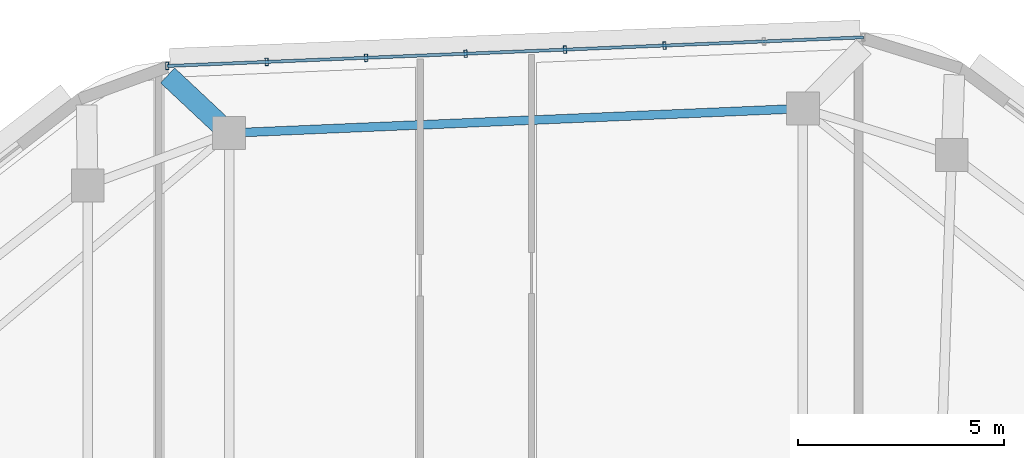
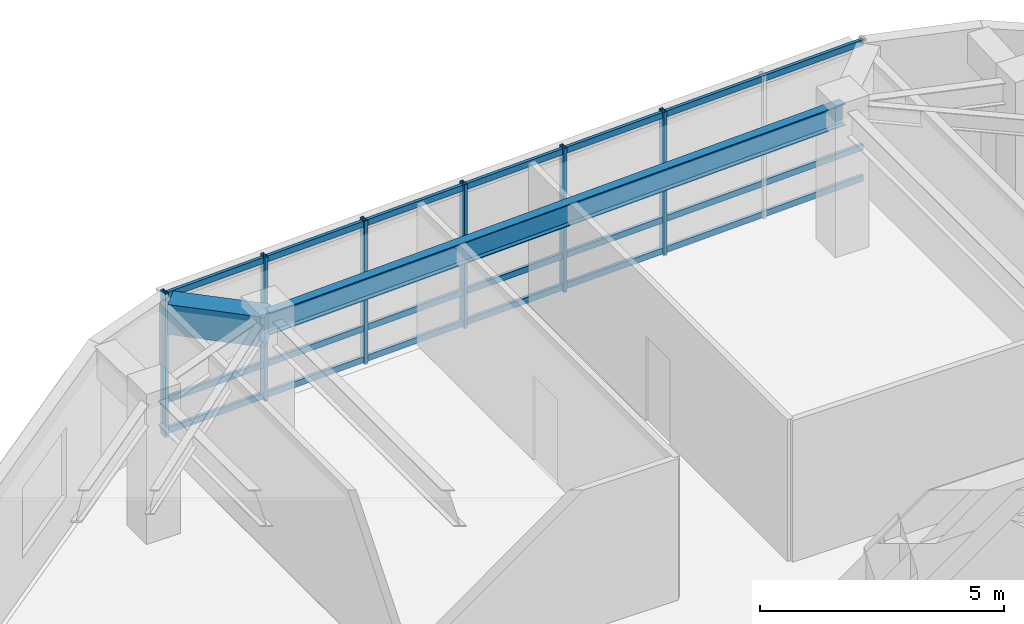
# One storey, part 2 of 12: 9 members, 2 beams, 1 element without a shape of its own.
"""IFC4 building model written with IfcOpenShell, lengths in metres."""

from ifc_helpers import new_model, si_unit, direction, frame, origin, origin_2d, place, context, subcontext, project, spatial, rectangle, hollow_rectangle, i_section, extrude, material, material_profile, profile_set, type_object, element, aggregate, save


model = new_model("IFC4")

# Units and contexts
model_context = context("Model", 3, precision=1e-05, world=origin(), true_north=direction((0.0, 1.0)))
body_context = subcontext(model_context, "Body", "Model", "MODEL_VIEW")
ifc_project = project(units=[si_unit("LENGTHUNIT", "METRE"), si_unit("AREAUNIT", "SQUARE_METRE"), si_unit("VOLUMEUNIT", "CUBIC_METRE"), si_unit("PLANEANGLEUNIT", "RADIAN"), si_unit("MASSUNIT", "GRAM", prefix="KILO")], contexts=[model_context])

# Site, building, storey
site_placement = place(None, origin())
site = spatial("IfcSite", under=ifc_project, at=site_placement, CompositionType="ELEMENT")
building_placement = place(site_placement, origin())
building = spatial("IfcBuilding", under=site, at=building_placement, Name="Zulverin Broadcast Headquarters", CompositionType="ELEMENT")
storey_placement = place(building_placement, frame((0.0, 0.0, 289.60009765625)))
storey = spatial("IfcBuildingStorey", under=building, at=storey_placement, Name="L74", CompositionType="ELEMENT", Elevation=289.60009765625)

# Beams
ifc_material_1 = material(Name="Concrete C40/50", Category="concrete")
ifc_material_profile_1 = material_profile(ifc_material_1, rectangle(XDim=0.5, YDim=0.75, at=origin_2d()), Name="Concrete C40/50", Category="concrete")
ifc_profile_set_1 = profile_set([ifc_material_profile_1], Name="Concrete C40/50")
beam_type_1 = type_object("IfcBeamType", Name="BM-RC-500x750", PredefinedType="BEAM", material=ifc_profile_set_1)
beam_1_placement = place(storey_placement, frame((31.006591796875, 45.699951171875, 3.164794921875), z_axis=(-0.729406997905, 0.684079989041, 0.0), x_axis=(-0.684079989041, -0.729406997905, 0.0)))
element("IfcBeam", 1, at=beam_1_placement, inside=storey, type_object=beam_type_1, Name="L75 Plate Overhang Back-Spanned Beam OVR-10", PredefinedType="BEAM", context=body_context, shape_type="SweptSolid", body=[
    extrude(rectangle(XDim=0.5, YDim=0.75, at=origin_2d()), origin(), (0.0, 0.0, 1.0), 2.046875),
])
ifc_material_2 = material(Name="Structural steel S355JR", Category="steel")
ifc_material_profile_2 = material_profile(ifc_material_2, i_section(OverallWidth=0.2119140625, OverallDepth=0.54443359375, WebThickness=0.0126953125, FlangeThickness=0.021240234375, at=origin_2d()), Name="Structural steel S355JR", Category="steel")
ifc_profile_set_2 = profile_set([ifc_material_profile_2], Name="Structural steel S355JR")
beam_type_2 = type_object("IfcBeamType", Name="BM-UB-533", PredefinedType="SPANDREL", material=ifc_profile_set_2)
beam_2_placement = place(storey_placement, frame((44.944580078125, 46.296630859375, 3.267822265625), z_axis=(-0.999084926695, -0.042770424958, 0.0), x_axis=(0.042770424958, -0.999084926695, 0.0)))
element("IfcBeam", 2, at=beam_2_placement, inside=storey, type_object=beam_type_2, Name="L74 Perimeter Spandrel Beam SP-09", PredefinedType="SPANDREL", context=body_context, shape_type="SweptSolid", body=[
    extrude(i_section(OverallWidth=0.2119140625, OverallDepth=0.54443359375, WebThickness=0.0126953125, FlangeThickness=0.021240234375, at=origin_2d()), origin(), (0.0, 0.0, 1.0), 13.95068359375),
])

# Curtain wall, members
ifc_material_3 = material(Name="High-zone solar-control unitised curtain wall", Category="aluminium")
curtain_wall_type = type_object("IfcCurtainWallType", Name="CW-TWR-UPP", PredefinedType="USERDEFINED", material=ifc_material_3)
curtain_wall_placement = place(storey_placement, origin())
curtain_wall = element("IfcCurtainWall", 3, at=curtain_wall_placement, inside=storey, type_object=curtain_wall_type, Name="L74 Unitised Curtain Wall CW-L74-E5", ObjectType="UNITISED CURTAIN WALL", PredefinedType="USERDEFINED")
ifc_material_4 = material(Name="Anodized pale-metal aluminium alloy 6063-T6", Category="aluminium")
ifc_material_profile_3 = material_profile(ifc_material_4, hollow_rectangle(XDim=0.074951171875, YDim=0.179931640625, WallThickness=0.0048828125, at=origin_2d()), Name="Anodized pale-metal aluminium alloy 6063-T6", Category="aluminium")
ifc_profile_set_3 = profile_set([ifc_material_profile_3], Name="Anodized pale-metal aluminium alloy 6063-T6")
member_type_1 = type_object("IfcMemberType", Name="CW-MUL-180", PredefinedType="MULLION", material=ifc_profile_set_3)
member_1_placement = place(storey_placement, frame((41.581787109375, 47.826416015625, -0.030029296875), z_axis=(0.0, 0.0, 1.0), x_axis=(-0.999156343069, -0.041068261531, 0.0)))
member_1 = element("IfcMember", 4, at=member_1_placement, type_object=member_type_1, Name="CW-L74-E5 Mullion 02", PredefinedType="MULLION", context=body_context, shape_type="SweptSolid", body=[
    extrude(hollow_rectangle(XDim=0.074951171875, YDim=0.179931640625, WallThickness=0.0048828125, at=origin_2d()), origin(), (0.0, 0.0, 1.0), 3.599853515625),
])
member_2_placement = place(storey_placement, frame((39.166259765625, 47.72705078125, -0.030029296875), z_axis=(0.0, 0.0, 1.0), x_axis=(-0.999156343069, -0.041068261531, 0.0)))
member_2 = element("IfcMember", 5, at=member_2_placement, type_object=member_type_1, Name="CW-L74-E5 Mullion 03", PredefinedType="MULLION", context=body_context, shape_type="SweptSolid", body=[
    extrude(hollow_rectangle(XDim=0.074951171875, YDim=0.179931640625, WallThickness=0.0048828125, at=origin_2d()), origin(), (0.0, 0.0, 1.0), 3.599853515625),
])
member_3_placement = place(storey_placement, frame((36.750732421875, 47.627685546875, -0.030029296875), z_axis=(0.0, 0.0, 1.0), x_axis=(-0.999156343069, -0.041068261531, 0.0)))
member_3 = element("IfcMember", 6, at=member_3_placement, type_object=member_type_1, Name="CW-L74-E5 Mullion 04", PredefinedType="MULLION", context=body_context, shape_type="SweptSolid", body=[
    extrude(hollow_rectangle(XDim=0.074951171875, YDim=0.179931640625, WallThickness=0.0048828125, at=origin_2d()), origin(), (0.0, 0.0, 1.0), 3.599853515625),
])
member_4_placement = place(storey_placement, frame((34.335205078125, 47.528564453125, -0.030029296875), z_axis=(0.0, 0.0, 1.0), x_axis=(-0.999156343069, -0.041068261531, 0.0)))
member_4 = element("IfcMember", 7, at=member_4_placement, type_object=member_type_1, Name="CW-L74-E5 Mullion 05", PredefinedType="MULLION", context=body_context, shape_type="SweptSolid", body=[
    extrude(hollow_rectangle(XDim=0.074951171875, YDim=0.179931640625, WallThickness=0.0048828125, at=origin_2d()), origin(), (0.0, 0.0, 1.0), 3.599853515625),
])
member_5_placement = place(storey_placement, frame((31.919677734375, 47.42919921875, -0.030029296875), z_axis=(0.0, 0.0, 1.0), x_axis=(-0.999156343069, -0.041068261531, 0.0)))
member_5 = element("IfcMember", 8, at=member_5_placement, type_object=member_type_1, Name="CW-L74-E5 Mullion 06", PredefinedType="MULLION", context=body_context, shape_type="SweptSolid", body=[
    extrude(hollow_rectangle(XDim=0.074951171875, YDim=0.179931640625, WallThickness=0.0048828125, at=origin_2d()), origin(), (0.0, 0.0, 1.0), 3.599853515625),
])
member_6_placement = place(storey_placement, frame((29.504150390625, 47.329833984375, -0.030029296875), z_axis=(0.0, 0.0, 1.0), x_axis=(-0.999156343069, -0.041068261531, 0.0)))
member_6 = element("IfcMember", 9, at=member_6_placement, type_object=member_type_1, Name="CW-L74-E5 Mullion 07", PredefinedType="MULLION", context=body_context, shape_type="SweptSolid", body=[
    extrude(hollow_rectangle(XDim=0.074951171875, YDim=0.179931640625, WallThickness=0.0048828125, at=origin_2d()), origin(), (0.0, 0.0, 1.0), 3.599853515625),
])
ifc_material_profile_4 = material_profile(ifc_material_4, hollow_rectangle(XDim=0.074951171875, YDim=0.14990234375, WallThickness=0.0048828125, at=origin_2d()), Name="Anodized pale-metal aluminium alloy 6063-T6", Category="aluminium")
ifc_profile_set_4 = profile_set([ifc_material_profile_4], Name="Anodized pale-metal aluminium alloy 6063-T6")
member_type_2 = type_object("IfcMemberType", Name="CW-TRN-150", PredefinedType="USERDEFINED", material=ifc_profile_set_4)
member_7_placement = place(storey_placement, frame((46.412841796875, 48.02490234375, 0.074951171875), z_axis=(-0.99915616979, -0.041072477048, 0.0), x_axis=(0.041072477048, -0.99915616979, 0.0)))
member_7 = element("IfcMember", 10, at=member_7_placement, type_object=member_type_2, Name="CW-L74-E5 Transom 0", ObjectType="TRANSOM", PredefinedType="USERDEFINED", context=body_context, shape_type="SweptSolid", body=[
    extrude(hollow_rectangle(XDim=0.074951171875, YDim=0.14990234375, WallThickness=0.0048828125, at=origin_2d()), origin(), (0.0, 0.0, 1.0), 16.9228515625),
])
member_8_placement = place(storey_placement, frame((46.412841796875, 48.02490234375, 0.849609375), z_axis=(-0.99915616979, -0.041072477048, 0.0), x_axis=(0.041072477048, -0.99915616979, 0.0)))
member_8 = element("IfcMember", 11, at=member_8_placement, type_object=member_type_2, Name="CW-L74-E5 Transom 1", ObjectType="TRANSOM", PredefinedType="USERDEFINED", context=body_context, shape_type="SweptSolid", body=[
    extrude(hollow_rectangle(XDim=0.074951171875, YDim=0.14990234375, WallThickness=0.0048828125, at=origin_2d()), origin(), (0.0, 0.0, 1.0), 16.9228515625),
])
member_9_placement = place(storey_placement, frame((46.412841796875, 48.02490234375, 3.46484375), z_axis=(-0.99915616979, -0.041072477048, 0.0), x_axis=(0.041072477048, -0.99915616979, 0.0)))
member_9 = element("IfcMember", 12, at=member_9_placement, type_object=member_type_2, Name="CW-L74-E5 Transom 2", ObjectType="TRANSOM", PredefinedType="USERDEFINED", context=body_context, shape_type="SweptSolid", body=[
    extrude(hollow_rectangle(XDim=0.074951171875, YDim=0.14990234375, WallThickness=0.0048828125, at=origin_2d()), origin(), (0.0, 0.0, 1.0), 16.9228515625),
])
aggregate(curtain_wall, [member_1, member_2, member_3, member_4, member_5, member_6, member_7, member_8, member_9])

save(model, "model.ifc")
